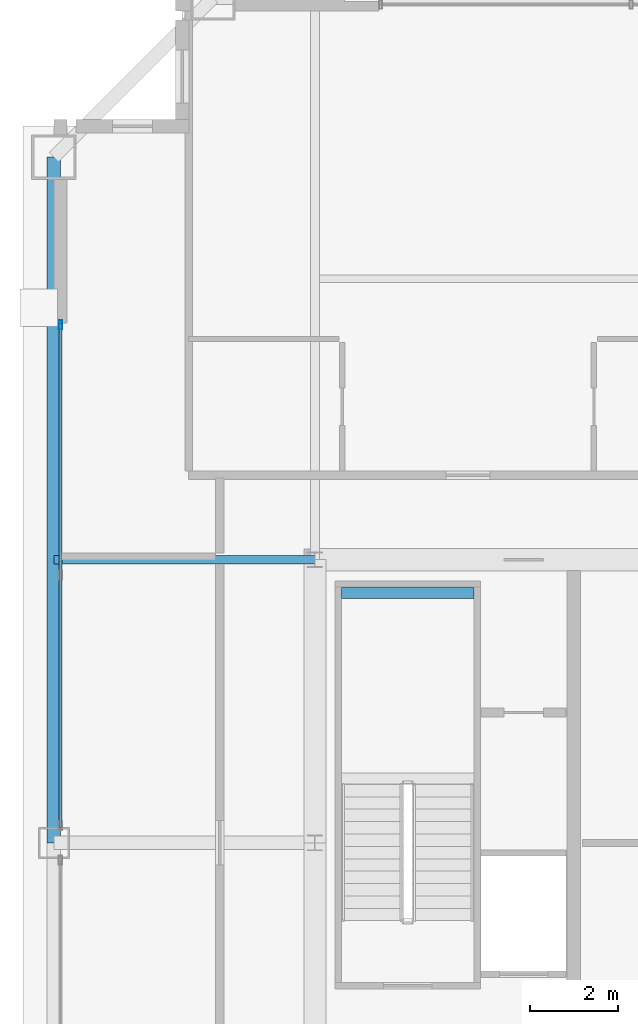
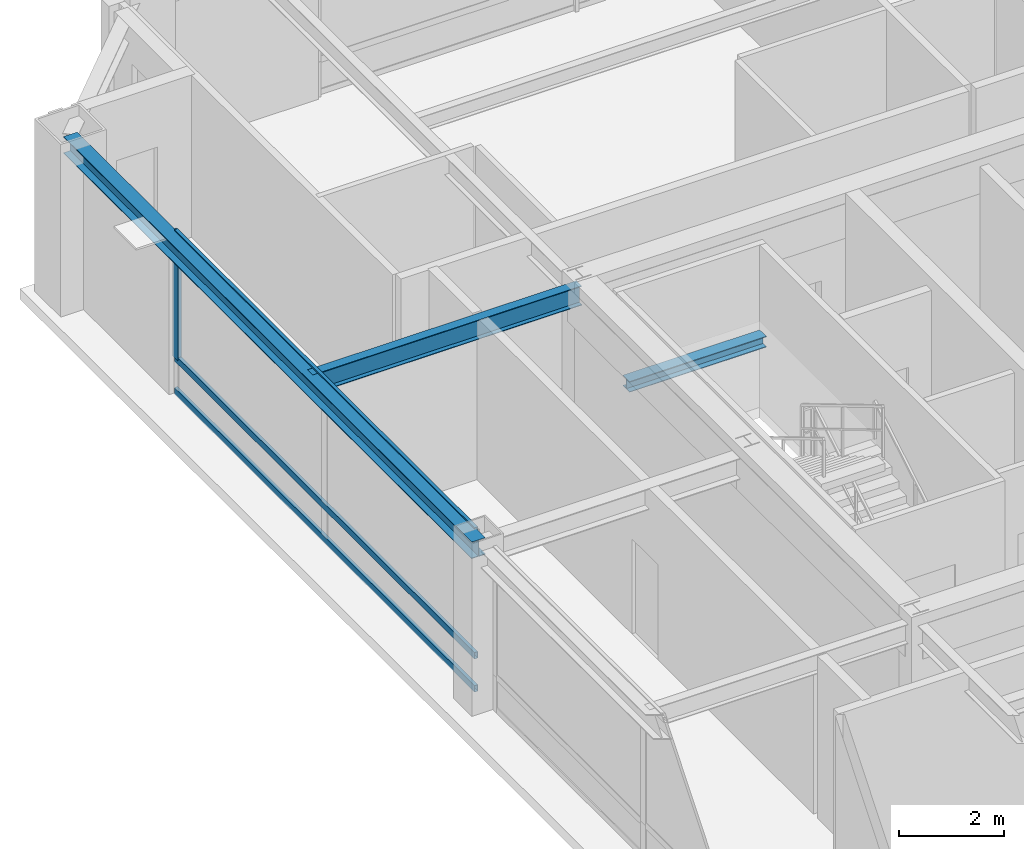
# One storey, part 12 of 34: 4 members, 3 beams, 1 element without a shape of its own.
"""IFC4 building model written with IfcOpenShell, lengths in metres."""

from ifc_helpers import new_model, si_unit, direction, frame, origin, origin_2d, place, context, subcontext, project, spatial, hollow_rectangle, i_section, extrude, source, transform, mapped, material, layer, layer_set, material_profile, profile_set, type_object, element, aggregate, save


model = new_model("IFC4")

# Units and contexts
model_context = context("Model", 3, precision=1e-05, world=origin(), true_north=direction((0.0, 1.0)))
body_context = subcontext(model_context, "Body", "Model", "MODEL_VIEW")
ifc_project = project(units=[si_unit("LENGTHUNIT", "METRE"), si_unit("AREAUNIT", "SQUARE_METRE"), si_unit("VOLUMEUNIT", "CUBIC_METRE"), si_unit("PLANEANGLEUNIT", "RADIAN"), si_unit("MASSUNIT", "GRAM", prefix="KILO"), si_unit("THERMODYNAMICTEMPERATUREUNIT", "KELVIN"), si_unit("POWERUNIT", "WATT")], contexts=[model_context])

# Site, building, storey
site_placement = place(None, origin())
site = spatial("IfcSite", under=ifc_project, at=site_placement, CompositionType="ELEMENT")
building_placement = place(site_placement, origin())
building = spatial("IfcBuilding", under=site, at=building_placement, Name="Yuzanri Waterfront Tower", CompositionType="ELEMENT")
storey_placement = place(building_placement, frame((0.0, 0.0, 339.199951171875)))
storey = spatial("IfcBuildingStorey", under=building, at=storey_placement, Name="L91", CompositionType="ELEMENT", Elevation=339.199951171875)

# Beams
ifc_material_1 = material(Name="Steel Q355B", Category="steel")
ifc_material_profile_1 = material_profile(ifc_material_1, i_section(OverallWidth=0.300048828125, OverallDepth=0.389892578125, WebThickness=0.010009765625, FlangeThickness=0.01611328125, at=origin_2d()), Name="HM 390x300x10x16")
ifc_profile_set_1 = profile_set([ifc_material_profile_1], Name="Steel Q355B")
beam_type_1 = type_object("IfcBeamType", Name="Perimeter Spandrel Q355B HM 390x300", PredefinedType="SPANDREL", material=ifc_profile_set_1)
shared_shape_1 = source(origin(), body_context, "Body", "SweptSolid", [
    extrude(i_section(OverallWidth=0.300048828125, OverallDepth=0.389892578125, WebThickness=0.010009765625, FlangeThickness=0.01611328125, at=origin_2d()), origin(), (0.0, 0.0, 1.0), 15.5),
])
beam_1_placement = place(storey_placement, frame((17.89990234375, 41.300048828125, 3.56494140625), z_axis=(0.0, -1.0, 0.0), x_axis=(1.0, 0.0, 0.0)))
element("IfcBeam", 1, at=beam_1_placement, inside=storey, type_object=beam_type_1, Name="L91 Perimeter Spandrel W3-W2", PredefinedType="SPANDREL", context=body_context, shape_type="MappedRepresentation", body=[
    mapped(shared_shape_1, transform((0.0, 0.0, 0.0), scale=1.0)),
])
ifc_material_2 = material(Name="Steel Q355B", Category="steel")
ifc_material_profile_2 = material_profile(ifc_material_2, i_section(OverallWidth=0.199951171875, OverallDepth=0.449951171875, WebThickness=0.009033203125, FlangeThickness=0.013916015625, at=origin_2d()), Name="HN 450x200x9x14")
ifc_profile_set_2 = profile_set([ifc_material_profile_2], Name="Steel Q355B")
beam_type_2 = type_object("IfcBeamType", Name="Secondary Floor Beam Q355B HN 450x200", PredefinedType="BEAM", material=ifc_profile_set_2)
shared_shape_2 = source(origin(), body_context, "Body", "SweptSolid", [
    extrude(i_section(OverallWidth=0.199951171875, OverallDepth=0.449951171875, WebThickness=0.009033203125, FlangeThickness=0.013916015625, at=origin_2d()), origin(), (0.0, 0.0, 1.0), 5.900146484375),
])
beam_2_placement = place(storey_placement, frame((23.800048828125, 32.199951171875, 3.53515625), z_axis=(-1.0, 0.0, 0.0), x_axis=(0.0, -1.0, 0.0)))
element("IfcBeam", 2, at=beam_2_placement, inside=storey, type_object=beam_type_2, Name="L91 West-North Core Line Beam", PredefinedType="BEAM", context=body_context, shape_type="MappedRepresentation", body=[
    mapped(shared_shape_2, transform((0.0, 0.0, 0.0), scale=1.0)),
])

# Curtain wall, members
ifc_material_3 = material(Name="Anodized Architectural Bronze", Category="metal")
ifc_layer = layer(ifc_material_3, 0.159912109375)
ifc_layer_set = layer_set([ifc_layer], Name="Anodized Architectural Bronze")
curtain_wall_type = type_object("IfcCurtainWallType", Name="Anodized Bronze High-Rise Penthouse High-Wind Unitized Curtain Wall 6900", PredefinedType="NOTDEFINED", material=ifc_layer_set)
curtain_wall_placement = place(storey_placement, origin())
curtain_wall = element("IfcCurtainWall", 3, at=curtain_wall_placement, inside=storey, type_object=curtain_wall_type, Name="L91 Curtain Wall CW-L91-WR", PredefinedType="NOTDEFINED")
ifc_material_4 = material(Name="Anodized Architectural Bronze", Category="metal")
ifc_material_profile_3 = material_profile(ifc_material_4, hollow_rectangle(XDim=0.074951171875, YDim=0.14990234375, WallThickness=0.00390625, at=origin_2d()), Name="CWT 75x150")
ifc_profile_set_3 = profile_set([ifc_material_profile_3], Name="Anodized Architectural Bronze")
member_type_1 = type_object("IfcMemberType", Name="Anodized Bronze Primary Curtain-Wall Transom 75x150", PredefinedType="USERDEFINED", material=ifc_profile_set_3)
shared_shape_3 = source(origin(), body_context, "Body", "SweptSolid", [
    extrude(hollow_rectangle(XDim=0.074951171875, YDim=0.14990234375, WallThickness=0.00390625, at=origin_2d()), origin(), (0.0, 0.0, 1.0), 11.400146484375),
])
member_1_placement = place(storey_placement, frame((18.050048828125, 26.14990234375, 0.050048828125), z_axis=(0.0, 1.0, 0.0), x_axis=(-1.0, 0.0, 0.0)))
member_1 = element("IfcMember", 4, at=member_1_placement, type_object=member_type_1, Name="CW-L91-WR Transom 1", ObjectType="TRANSOM", PredefinedType="USERDEFINED", context=body_context, shape_type="MappedRepresentation", body=[
    mapped(shared_shape_3, transform((0.0, 0.0, 0.0), scale=1.0)),
])
member_2_placement = place(storey_placement, frame((18.050048828125, 26.14990234375, 0.820068359375), z_axis=(0.0, 1.0, 0.0), x_axis=(-1.0, 0.0, 0.0)))
member_2 = element("IfcMember", 5, at=member_2_placement, type_object=member_type_1, Name="CW-L91-WR Transom 2", ObjectType="TRANSOM", PredefinedType="USERDEFINED", context=body_context, shape_type="MappedRepresentation", body=[
    mapped(shared_shape_3, transform((0.0, 0.0, 0.0), scale=1.0)),
])
member_3_placement = place(storey_placement, frame((18.050048828125, 26.14990234375, 3.7099609375), z_axis=(0.0, 1.0, 0.0), x_axis=(-1.0, 0.0, 0.0)))
member_3 = element("IfcMember", 6, at=member_3_placement, type_object=member_type_1, Name="CW-L91-WR Transom 3", ObjectType="TRANSOM", PredefinedType="USERDEFINED", context=body_context, shape_type="MappedRepresentation", body=[
    mapped(shared_shape_3, transform((0.0, 0.0, 0.0), scale=1.0)),
])
ifc_material_5 = material(Name="Anodized Architectural Bronze", Category="metal")
ifc_material_profile_4 = material_profile(ifc_material_5, hollow_rectangle(XDim=0.074951171875, YDim=0.199951171875, WallThickness=0.00390625, at=origin_2d()), Name="CWM 75x200")
ifc_profile_set_4 = profile_set([ifc_material_profile_4], Name="Anodized Architectural Bronze")
member_type_2 = type_object("IfcMemberType", Name="Anodized Bronze Primary Curtain-Wall Mullion 75x200", PredefinedType="MULLION", material=ifc_profile_set_4)
shared_shape_4 = source(origin(), body_context, "Body", "SweptSolid", [
    extrude(hollow_rectangle(XDim=0.074951171875, YDim=0.199951171875, WallThickness=0.00390625, at=origin_2d()), origin(), (0.0, 0.0, 1.0), 2.93798828125),
])
member_4_placement = place(storey_placement, frame((18.050048828125, 37.510009765625, 0.822021484375), z_axis=(0.0, 0.0, 1.0), x_axis=(1.0, 0.0, 0.0)))
member_4 = element("IfcMember", 7, at=member_4_placement, type_object=member_type_2, Name="CW-L91-WR Upper Mullion 02", PredefinedType="MULLION", context=body_context, shape_type="MappedRepresentation", body=[
    mapped(shared_shape_4, transform((0.0, 0.0, 0.0), scale=1.0)),
])
aggregate(curtain_wall, [member_4, member_1, member_2, member_3])

# Beam
ifc_material_6 = material(Name="Steel Q355B", Category="steel")
ifc_material_profile_5 = material_profile(ifc_material_6, i_section(OverallWidth=0.25, OverallDepth=0.25, WebThickness=0.009033203125, FlangeThickness=0.013916015625, at=origin_2d()), Name="HW 250x250x9x14")
ifc_profile_set_5 = profile_set([ifc_material_profile_5], Name="Steel Q355B")
beam_type_3 = type_object("IfcBeamType", Name="Stair Landing Support Beam Q355B HW 250x250", PredefinedType="BEAM", material=ifc_profile_set_5)
shared_shape_5 = source(origin(), body_context, "Body", "SweptSolid", [
    extrude(i_section(OverallWidth=0.25, OverallDepth=0.25, WebThickness=0.009033203125, FlangeThickness=0.013916015625, at=origin_2d()), origin(), (0.0, 0.0, 1.0), 3.0),
])
beam_3_placement = place(storey_placement, frame((24.39990234375, 31.449951171875, 1.675048828125), z_axis=(1.0, 0.0, 0.0), x_axis=(0.0, 1.0, 0.0)))
element("IfcBeam", 8, at=beam_3_placement, inside=storey, type_object=beam_type_3, Name="L91 Stair Landing Support Beam ST-01-L91-L1-2", PredefinedType="BEAM", context=body_context, shape_type="MappedRepresentation", body=[
    mapped(shared_shape_5, transform((0.0, 0.0, 0.0), scale=1.0)),
])

save(model, "model.ifc")
